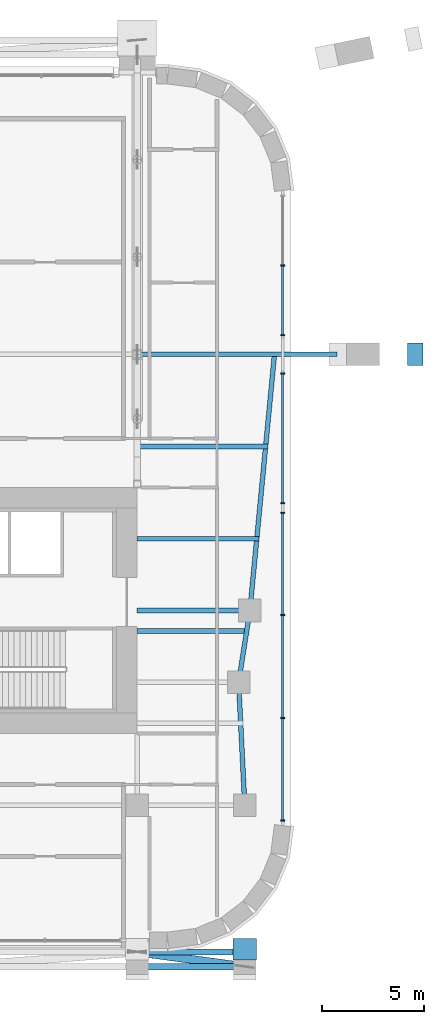
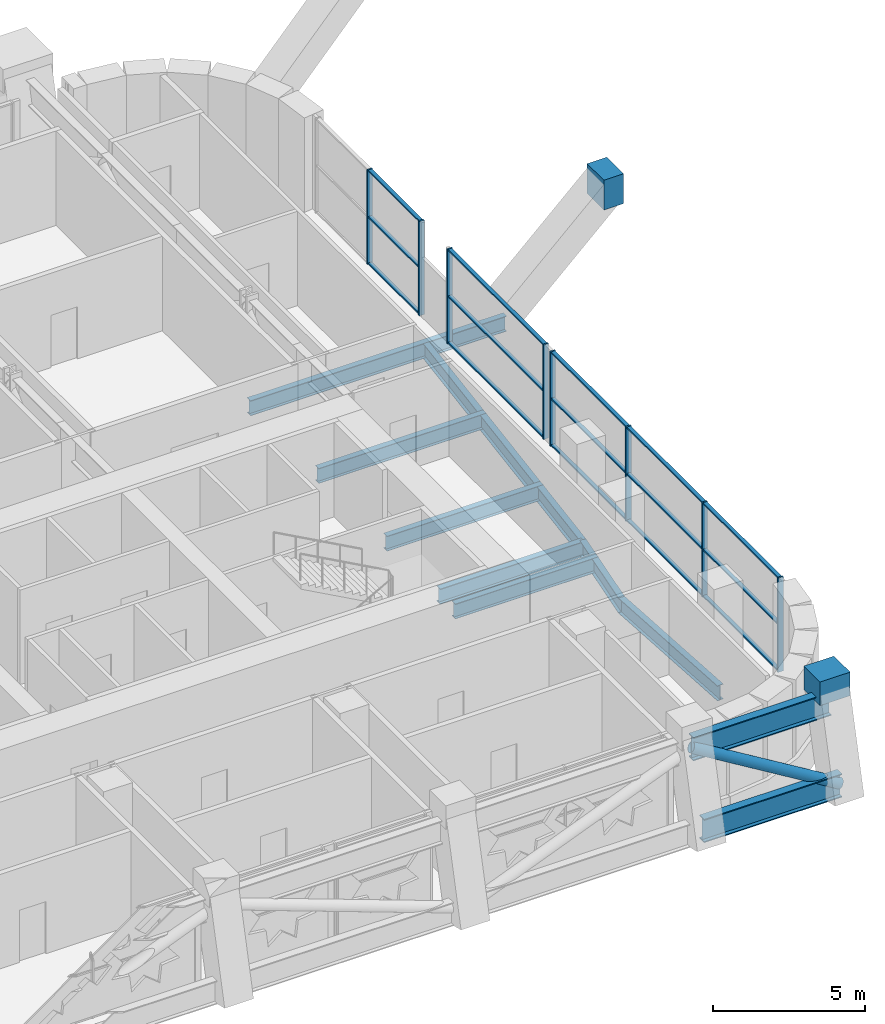
# One storey, part 9 of 27: 26 members, 10 beams, 3 elements without a shape of their own.
"""IFC4 building model written with IfcOpenShell, lengths in metres."""

from ifc_helpers import new_model, si_unit, direction, frame, origin, origin_2d, place, context, subcontext, project, spatial, rectangle, hollow_circle, i_section, extrude, material, material_profile, profile_set, type_object, element, aggregate, save


model = new_model("IFC4")

# Units and contexts
model_context = context("Model", 3, precision=1e-05, world=origin(), true_north=direction((0.0, 1.0)))
body_context = subcontext(model_context, "Body", "Model", "MODEL_VIEW")
ifc_project = project(units=[si_unit("LENGTHUNIT", "METRE"), si_unit("AREAUNIT", "SQUARE_METRE"), si_unit("VOLUMEUNIT", "CUBIC_METRE"), si_unit("PLANEANGLEUNIT", "RADIAN"), si_unit("MASSUNIT", "GRAM", prefix="KILO")], contexts=[model_context])

# Site, building, storey
site_placement = place(None, origin())
site = spatial("IfcSite", under=ifc_project, at=site_placement, CompositionType="ELEMENT")
building_placement = place(site_placement, origin())
building = spatial("IfcBuilding", under=site, at=building_placement, Name="Zellij Exchange Tower", CompositionType="ELEMENT")
storey_placement = place(building_placement, frame((0.0, 0.0, 104.5)))
storey = spatial("IfcBuildingStorey", under=building, at=storey_placement, Name="L22", CompositionType="ELEMENT", Elevation=104.5)

# Curtain wall, members
ifc_material_1 = material(Name="Aluminium frame, clear insulating glass", Category="aluminium")
curtain_wall_type = type_object("IfcCurtainWallType", Name="ENV-CW2 Outrigger-storey glazing", PredefinedType="NOTDEFINED", material=ifc_material_1)
curtain_wall_1_placement = place(storey_placement, origin())
curtain_wall_1 = element("IfcCurtainWall", 1, at=curtain_wall_1_placement, inside=storey, type_object=curtain_wall_type, Name="cw.L22.07a", PredefinedType="NOTDEFINED")
ifc_material_2 = material(Name="Aluminium", Category="aluminium")
ifc_material_profile_1 = material_profile(ifc_material_2, rectangle(XDim=0.06005859375, YDim=0.199951171875, at=origin_2d()), Name="AL 60x200")
ifc_profile_set_1 = profile_set([ifc_material_profile_1], Name="Aluminium")
member_type_1 = type_object("IfcMemberType", Name="ENV-CW2M Mullion 60x200", PredefinedType="MULLION", material=ifc_profile_set_1)
member_1_placement = place(storey_placement, frame((34.10009765625, -18.243896484375, 0.0), z_axis=(0.0, 0.0, 1.0), x_axis=(0.0, 1.0, 0.0)))
member_1 = element("IfcMember", 2, at=member_1_placement, type_object=member_type_1, Name="CW2 mullion 1", PredefinedType="MULLION", context=body_context, shape_type="SweptSolid", body=[
    extrude(rectangle(XDim=0.06005859375, YDim=0.199951171875, at=origin_2d()), origin(), (0.0, 0.0, 1.0), 3.800048828125),
])
member_2_placement = place(storey_placement, frame((34.10009765625, -13.249267578125, 0.0), z_axis=(0.0, 0.0, 1.0), x_axis=(0.0, 1.0, 0.0)))
member_2 = element("IfcMember", 3, at=member_2_placement, type_object=member_type_1, Name="CW2 mullion 2", PredefinedType="MULLION", context=body_context, shape_type="SweptSolid", body=[
    extrude(rectangle(XDim=0.06005859375, YDim=0.199951171875, at=origin_2d()), origin(), (0.0, 0.0, 1.0), 3.800048828125),
])
member_3_placement = place(storey_placement, frame((34.10009765625, -8.224609375, 0.0), z_axis=(0.0, 0.0, 1.0), x_axis=(0.0, 1.0, 0.0)))
member_3 = element("IfcMember", 4, at=member_3_placement, type_object=member_type_1, Name="CW2 mullion 3", PredefinedType="MULLION", context=body_context, shape_type="SweptSolid", body=[
    extrude(rectangle(XDim=0.06005859375, YDim=0.199951171875, at=origin_2d()), origin(), (0.0, 0.0, 1.0), 3.800048828125),
])
member_4_placement = place(storey_placement, frame((34.10009765625, -3.22998046875, 0.0), z_axis=(0.0, 0.0, 1.0), x_axis=(0.0, 1.0, 0.0)))
member_4 = element("IfcMember", 5, at=member_4_placement, type_object=member_type_1, Name="CW2 mullion 4", PredefinedType="MULLION", context=body_context, shape_type="SweptSolid", body=[
    extrude(rectangle(XDim=0.06005859375, YDim=0.199951171875, at=origin_2d()), origin(), (0.0, 0.0, 1.0), 3.800048828125),
])

curtain_wall_2_placement = place(storey_placement, origin())
curtain_wall_2 = element("IfcCurtainWall", 6, at=curtain_wall_2_placement, inside=storey, type_object=curtain_wall_type, Name="cw.L22.07b.a", PredefinedType="NOTDEFINED")
member_5_placement = place(storey_placement, frame((34.10009765625, -2.77001953125, 0.0), z_axis=(0.0, 0.0, 1.0), x_axis=(0.0, 1.0, 0.0)))
member_5 = element("IfcMember", 7, at=member_5_placement, type_object=member_type_1, Name="CW2 mullion 1", PredefinedType="MULLION", context=body_context, shape_type="SweptSolid", body=[
    extrude(rectangle(XDim=0.06005859375, YDim=0.199951171875, at=origin_2d()), origin(), (0.0, 0.0, 1.0), 3.800048828125),
])
member_6_placement = place(storey_placement, frame((34.10009765625, 3.570068359375, 0.0), z_axis=(0.0, 0.0, 1.0), x_axis=(0.0, 1.0, 0.0)))
member_6 = element("IfcMember", 8, at=member_6_placement, type_object=member_type_1, Name="CW2 mullion 2", PredefinedType="MULLION", context=body_context, shape_type="SweptSolid", body=[
    extrude(rectangle(XDim=0.06005859375, YDim=0.199951171875, at=origin_2d()), origin(), (0.0, 0.0, 1.0), 3.800048828125),
])

curtain_wall_3_placement = place(storey_placement, origin())
curtain_wall_3 = element("IfcCurtainWall", 9, at=curtain_wall_3_placement, inside=storey, type_object=curtain_wall_type, Name="cw.L22.07b.b", PredefinedType="NOTDEFINED")
member_7_placement = place(storey_placement, frame((34.10009765625, 5.429931640625, 0.0), z_axis=(0.0, 0.0, 1.0), x_axis=(0.0, 1.0, 0.0)))
member_7 = element("IfcMember", 10, at=member_7_placement, type_object=member_type_1, Name="CW2 mullion 1", PredefinedType="MULLION", context=body_context, shape_type="SweptSolid", body=[
    extrude(rectangle(XDim=0.06005859375, YDim=0.199951171875, at=origin_2d()), origin(), (0.0, 0.0, 1.0), 3.800048828125),
])
member_8_placement = place(storey_placement, frame((34.10009765625, 8.8369140625, 0.0), z_axis=(0.0, 0.0, 1.0), x_axis=(0.0, 1.0, 0.0)))
member_8 = element("IfcMember", 11, at=member_8_placement, type_object=member_type_1, Name="CW2 mullion 2", PredefinedType="MULLION", context=body_context, shape_type="SweptSolid", body=[
    extrude(rectangle(XDim=0.06005859375, YDim=0.199951171875, at=origin_2d()), origin(), (0.0, 0.0, 1.0), 3.800048828125),
])

# Member
ifc_material_profile_2 = material_profile(ifc_material_2, rectangle(XDim=0.139892578125, YDim=0.06005859375, at=origin_2d()), Name="AL 140x60")
ifc_profile_set_2 = profile_set([ifc_material_profile_2], Name="Aluminium")
member_type_2 = type_object("IfcMemberType", Name="ENV-CW2T Transom 140x60", PredefinedType="USERDEFINED", material=ifc_profile_set_2)
member_9_placement = place(storey_placement, frame((34.10009765625, -18.2138671875, 0.030029296875), z_axis=(0.0, 1.0, 0.0), x_axis=(-1.0, 0.0, 0.0)))
member_9 = element("IfcMember", 12, at=member_9_placement, type_object=member_type_2, Name="CW2 transom 1.1", ObjectType="TRANSOM", PredefinedType="USERDEFINED", context=body_context, shape_type="SweptSolid", body=[
    extrude(rectangle(XDim=0.139892578125, YDim=0.06005859375, at=origin_2d()), origin(), (0.0, 0.0, 1.0), 4.9345703125),
])

member_10_placement = place(storey_placement, frame((34.10009765625, -18.2138671875, 1.89990234375), z_axis=(0.0, 1.0, 0.0), x_axis=(-1.0, 0.0, 0.0)))
member_10 = element("IfcMember", 13, at=member_10_placement, type_object=member_type_2, Name="CW2 transom 1.2", ObjectType="TRANSOM", PredefinedType="USERDEFINED", context=body_context, shape_type="SweptSolid", body=[
    extrude(rectangle(XDim=0.139892578125, YDim=0.06005859375, at=origin_2d()), origin(), (0.0, 0.0, 1.0), 4.9345703125),
])

member_11_placement = place(storey_placement, frame((34.10009765625, -18.2138671875, 3.77001953125), z_axis=(0.0, 1.0, 0.0), x_axis=(-1.0, 0.0, 0.0)))
member_11 = element("IfcMember", 14, at=member_11_placement, type_object=member_type_2, Name="CW2 transom 1.3", ObjectType="TRANSOM", PredefinedType="USERDEFINED", context=body_context, shape_type="SweptSolid", body=[
    extrude(rectangle(XDim=0.139892578125, YDim=0.06005859375, at=origin_2d()), origin(), (0.0, 0.0, 1.0), 4.9345703125),
])

member_12_placement = place(storey_placement, frame((34.10009765625, -13.21923828125, 0.030029296875), z_axis=(0.0, 1.0, 0.0), x_axis=(-1.0, 0.0, 0.0)))
member_12 = element("IfcMember", 15, at=member_12_placement, type_object=member_type_2, Name="CW2 transom 2.1", ObjectType="TRANSOM", PredefinedType="USERDEFINED", context=body_context, shape_type="SweptSolid", body=[
    extrude(rectangle(XDim=0.139892578125, YDim=0.06005859375, at=origin_2d()), origin(), (0.0, 0.0, 1.0), 4.964599609375),
])

member_13_placement = place(storey_placement, frame((34.10009765625, -13.21923828125, 1.89990234375), z_axis=(0.0, 1.0, 0.0), x_axis=(-1.0, 0.0, 0.0)))
member_13 = element("IfcMember", 16, at=member_13_placement, type_object=member_type_2, Name="CW2 transom 2.2", ObjectType="TRANSOM", PredefinedType="USERDEFINED", context=body_context, shape_type="SweptSolid", body=[
    extrude(rectangle(XDim=0.139892578125, YDim=0.06005859375, at=origin_2d()), origin(), (0.0, 0.0, 1.0), 4.964599609375),
])

member_14_placement = place(storey_placement, frame((34.10009765625, -13.21923828125, 3.77001953125), z_axis=(0.0, 1.0, 0.0), x_axis=(-1.0, 0.0, 0.0)))
member_14 = element("IfcMember", 17, at=member_14_placement, type_object=member_type_2, Name="CW2 transom 2.3", ObjectType="TRANSOM", PredefinedType="USERDEFINED", context=body_context, shape_type="SweptSolid", body=[
    extrude(rectangle(XDim=0.139892578125, YDim=0.06005859375, at=origin_2d()), origin(), (0.0, 0.0, 1.0), 4.964599609375),
])

member_15_placement = place(storey_placement, frame((34.10009765625, -8.194580078125, 0.030029296875), z_axis=(0.0, 1.0, 0.0), x_axis=(-1.0, 0.0, 0.0)))
member_15 = element("IfcMember", 18, at=member_15_placement, type_object=member_type_2, Name="CW2 transom 3.1", ObjectType="TRANSOM", PredefinedType="USERDEFINED", context=body_context, shape_type="SweptSolid", body=[
    extrude(rectangle(XDim=0.139892578125, YDim=0.06005859375, at=origin_2d()), origin(), (0.0, 0.0, 1.0), 4.9345703125),
])

member_16_placement = place(storey_placement, frame((34.10009765625, -8.194580078125, 1.89990234375), z_axis=(0.0, 1.0, 0.0), x_axis=(-1.0, 0.0, 0.0)))
member_16 = element("IfcMember", 19, at=member_16_placement, type_object=member_type_2, Name="CW2 transom 3.2", ObjectType="TRANSOM", PredefinedType="USERDEFINED", context=body_context, shape_type="SweptSolid", body=[
    extrude(rectangle(XDim=0.139892578125, YDim=0.06005859375, at=origin_2d()), origin(), (0.0, 0.0, 1.0), 4.9345703125),
])

member_17_placement = place(storey_placement, frame((34.10009765625, -8.194580078125, 3.77001953125), z_axis=(0.0, 1.0, 0.0), x_axis=(-1.0, 0.0, 0.0)))
member_17 = element("IfcMember", 20, at=member_17_placement, type_object=member_type_2, Name="CW2 transom 3.3", ObjectType="TRANSOM", PredefinedType="USERDEFINED", context=body_context, shape_type="SweptSolid", body=[
    extrude(rectangle(XDim=0.139892578125, YDim=0.06005859375, at=origin_2d()), origin(), (0.0, 0.0, 1.0), 4.9345703125),
])

aggregate(curtain_wall_1, [member_1, member_2, member_3, member_4, member_9, member_10, member_11, member_12, member_13, member_14, member_15, member_16, member_17])

member_18_placement = place(storey_placement, frame((34.10009765625, -2.739990234375, 0.030029296875), z_axis=(0.0, 1.0, 0.0), x_axis=(-1.0, 0.0, 0.0)))
member_18 = element("IfcMember", 21, at=member_18_placement, type_object=member_type_2, Name="CW2 transom 1.1", ObjectType="TRANSOM", PredefinedType="USERDEFINED", context=body_context, shape_type="SweptSolid", body=[
    extrude(rectangle(XDim=0.139892578125, YDim=0.06005859375, at=origin_2d()), origin(), (0.0, 0.0, 1.0), 6.280029296875),
])

member_19_placement = place(storey_placement, frame((34.10009765625, -2.739990234375, 1.89990234375), z_axis=(0.0, 1.0, 0.0), x_axis=(-1.0, 0.0, 0.0)))
member_19 = element("IfcMember", 22, at=member_19_placement, type_object=member_type_2, Name="CW2 transom 1.2", ObjectType="TRANSOM", PredefinedType="USERDEFINED", context=body_context, shape_type="SweptSolid", body=[
    extrude(rectangle(XDim=0.139892578125, YDim=0.06005859375, at=origin_2d()), origin(), (0.0, 0.0, 1.0), 6.280029296875),
])

member_20_placement = place(storey_placement, frame((34.10009765625, -2.739990234375, 3.77001953125), z_axis=(0.0, 1.0, 0.0), x_axis=(-1.0, 0.0, 0.0)))
member_20 = element("IfcMember", 23, at=member_20_placement, type_object=member_type_2, Name="CW2 transom 1.3", ObjectType="TRANSOM", PredefinedType="USERDEFINED", context=body_context, shape_type="SweptSolid", body=[
    extrude(rectangle(XDim=0.139892578125, YDim=0.06005859375, at=origin_2d()), origin(), (0.0, 0.0, 1.0), 6.280029296875),
])

aggregate(curtain_wall_2, [member_5, member_6, member_18, member_19, member_20])

member_21_placement = place(storey_placement, frame((34.10009765625, 5.4599609375, 0.030029296875), z_axis=(0.0, 1.0, 0.0), x_axis=(-1.0, 0.0, 0.0)))
member_21 = element("IfcMember", 24, at=member_21_placement, type_object=member_type_2, Name="CW2 transom 1.1", ObjectType="TRANSOM", PredefinedType="USERDEFINED", context=body_context, shape_type="SweptSolid", body=[
    extrude(rectangle(XDim=0.139892578125, YDim=0.06005859375, at=origin_2d()), origin(), (0.0, 0.0, 1.0), 3.346923828125),
])

member_22_placement = place(storey_placement, frame((34.10009765625, 5.4599609375, 1.89990234375), z_axis=(0.0, 1.0, 0.0), x_axis=(-1.0, 0.0, 0.0)))
member_22 = element("IfcMember", 25, at=member_22_placement, type_object=member_type_2, Name="CW2 transom 1.2", ObjectType="TRANSOM", PredefinedType="USERDEFINED", context=body_context, shape_type="SweptSolid", body=[
    extrude(rectangle(XDim=0.139892578125, YDim=0.06005859375, at=origin_2d()), origin(), (0.0, 0.0, 1.0), 3.346923828125),
])

member_23_placement = place(storey_placement, frame((34.10009765625, 5.4599609375, 3.77001953125), z_axis=(0.0, 1.0, 0.0), x_axis=(-1.0, 0.0, 0.0)))
member_23 = element("IfcMember", 26, at=member_23_placement, type_object=member_type_2, Name="CW2 transom 1.3", ObjectType="TRANSOM", PredefinedType="USERDEFINED", context=body_context, shape_type="SweptSolid", body=[
    extrude(rectangle(XDim=0.139892578125, YDim=0.06005859375, at=origin_2d()), origin(), (0.0, 0.0, 1.0), 3.346923828125),
])

aggregate(curtain_wall_3, [member_7, member_8, member_21, member_22, member_23])

# Beams
ifc_material_3 = material(Name="Structural steel ASTM A992 Gr 50", Category="steel")
ifc_material_profile_3 = material_profile(ifc_material_3, i_section(OverallWidth=0.227783203125, OverallDepth=0.60205078125, WebThickness=0.010498046875, FlangeThickness=0.014892578125, at=origin_2d()), Name="W24x68")
ifc_profile_set_3 = profile_set([ifc_material_profile_3], Name="Structural steel ASTM A992 Gr 50")
beam_type_1 = type_object("IfcBeamType", Name="STR-BEAM W24x68", PredefinedType="BEAM", material=ifc_profile_set_3)
beam_1_placement = place(storey_placement, frame((27.0, -9.0, -0.65087890625), z_axis=(1.0, 0.0, 0.0), x_axis=(0.0, 1.0, 0.0)))
element("IfcBeam", 27, at=beam_1_placement, inside=storey, type_object=beam_type_1, Name="B5", PredefinedType="BEAM", context=body_context, shape_type="SweptSolid", body=[
    extrude(i_section(OverallWidth=0.227783203125, OverallDepth=0.60205078125, WebThickness=0.010498046875, FlangeThickness=0.014892578125, at=origin_2d()), origin(), (0.0, 0.0, 1.0), 5.458740234375),
])
beam_2_placement = place(storey_placement, frame((27.0, -4.5, -0.65087890625), z_axis=(1.0, 0.0, 0.0), x_axis=(0.0, 1.0, 0.0)))
element("IfcBeam", 28, at=beam_2_placement, inside=storey, type_object=beam_type_1, Name="B5", PredefinedType="BEAM", context=body_context, shape_type="SweptSolid", body=[
    extrude(i_section(OverallWidth=0.227783203125, OverallDepth=0.60205078125, WebThickness=0.010498046875, FlangeThickness=0.014892578125, at=origin_2d()), origin(), (0.0, 0.0, 1.0), 5.951171875),
])
beam_3_placement = place(storey_placement, frame((27.0, 0.0, -0.65087890625), z_axis=(1.0, 0.0, 0.0), x_axis=(0.0, 1.0, 0.0)))
element("IfcBeam", 29, at=beam_3_placement, inside=storey, type_object=beam_type_1, Name="B5", PredefinedType="BEAM", context=body_context, shape_type="SweptSolid", body=[
    extrude(i_section(OverallWidth=0.227783203125, OverallDepth=0.60205078125, WebThickness=0.010498046875, FlangeThickness=0.014892578125, at=origin_2d()), origin(), (0.0, 0.0, 1.0), 6.383056640625),
])

# Members
ifc_material_profile_4 = material_profile(ifc_material_3, i_section(OverallWidth=0.307373046875, OverallDepth=0.9423828125, WebThickness=0.022216796875, FlangeThickness=0.039794921875, at=origin_2d()), Name="W36x232")
ifc_profile_set_4 = profile_set([ifc_material_profile_4], Name="Structural steel ASTM A992 Gr 50")
member_type_3 = type_object("IfcMemberType", Name="STR-BELT TRUSS CHORD W36x232", PredefinedType="CHORD", material=ifc_profile_set_4)
for number, where, z_axis, x_axis, name in (
    (30, (27.0, -25.382080078125, 0.47119140625), (1.0, 0.0, 0.0), (0.0, 1.0, 0.0), "BT1"),
    (31, (27.0, -24.667724609375, 3.328857421875), (1.0, 0.0, 0.0), (0.0, 1.0, 0.0), "BT1"),
):
    element("IfcMember", number, at=place(storey_placement, frame(where, z_axis=z_axis, x_axis=x_axis)), inside=storey, type_object=member_type_3, Name=name, PredefinedType="CHORD", context=body_context, shape_type="SweptSolid", body=[
        extrude(i_section(OverallWidth=0.307373046875, OverallDepth=0.9423828125, WebThickness=0.022216796875, FlangeThickness=0.039794921875, at=origin_2d()), origin(), (0.0, 0.0, 1.0), 5.25),
    ])
ifc_material_4 = material(Name="Structural steel ASTM A500 Gr C", Category="steel")
ifc_material_profile_5 = material_profile(ifc_material_4, hollow_circle(Radius=0.203125, WallThickness=0.01171875, at=origin_2d()), Name="STR-BELT TRUSS DIAGONAL HSS16.000x0.500")
ifc_profile_set_5 = profile_set([ifc_material_profile_5], Name="Structural steel ASTM A500 Gr C")
member_type_4 = type_object("IfcMemberType", Name="STR-BELT TRUSS DIAGONAL HSS16.000x0.500", PredefinedType="BRACE", material=ifc_profile_set_5)
member_24_placement = place(storey_placement, frame((27.0, -24.667724609375, 3.328857421875), z_axis=(0.872109161186, -0.118665894979, -0.474704135588), x_axis=(0.134825326017, 0.990869381636, 0.0)))
element("IfcMember", 32, at=member_24_placement, inside=storey, type_object=member_type_4, Name="BT2", PredefinedType="BRACE", context=body_context, shape_type="SweptSolid", body=[
    extrude(hollow_circle(Radius=0.203125, WallThickness=0.01171875, at=origin_2d()), origin(), (0.0, 0.0, 1.0), 6.019775390625),
])

# Beams
ifc_material_profile_6 = material_profile(ifc_material_3, i_section(OverallWidth=0.22900390625, OverallDepth=0.612060546875, WebThickness=0.011962890625, FlangeThickness=0.01953125, at=origin_2d()), Name="W24x84")
ifc_profile_set_6 = profile_set([ifc_material_profile_6], Name="Structural steel ASTM A992 Gr 50")
beam_type_2 = type_object("IfcBeamType", Name="STR-EDGE GIRDER W24x84", PredefinedType="BEAM", material=ifc_profile_set_6)
beam_4_placement = place(storey_placement, frame((32.25, -17.5, -0.656005859375), z_axis=(-0.049945724537, 0.998751933465, 0.0), x_axis=(-0.998751933465, -0.049945724537, 0.0)))
element("IfcBeam", 33, at=beam_4_placement, inside=storey, type_object=beam_type_2, Name="EB6", PredefinedType="BEAM", context=body_context, shape_type="SweptSolid", body=[
    extrude(i_section(OverallWidth=0.22900390625, OverallDepth=0.612060546875, WebThickness=0.011962890625, FlangeThickness=0.01953125, at=origin_2d()), origin(), (0.0, 0.0, 1.0), 6.007568359375),
])
beam_5_placement = place(storey_placement, frame((31.949951171875, -11.5, -0.656005859375), z_axis=(0.155251283593, 0.987875011802, 0.0), x_axis=(-0.987875011802, 0.155251283593, 0.0)))
element("IfcBeam", 34, at=beam_5_placement, inside=storey, type_object=beam_type_2, Name="EB6", PredefinedType="BEAM", context=body_context, shape_type="SweptSolid", body=[
    extrude(i_section(OverallWidth=0.22900390625, OverallDepth=0.612060546875, WebThickness=0.011962890625, FlangeThickness=0.01953125, at=origin_2d()), origin(), (0.0, 0.0, 1.0), 3.54296875),
])
beam_6_placement = place(storey_placement, frame((32.5, -8.0, -0.656005859375), z_axis=(0.095556813485, 0.995423977708, 0.0), x_axis=(-0.995423977708, 0.095556813485, 0.0)))
element("IfcBeam", 35, at=beam_6_placement, inside=storey, type_object=beam_type_2, Name="EB6", PredefinedType="BEAM", context=body_context, shape_type="SweptSolid", body=[
    extrude(i_section(OverallWidth=0.22900390625, OverallDepth=0.612060546875, WebThickness=0.011962890625, FlangeThickness=0.01953125, at=origin_2d()), origin(), (0.0, 0.0, 1.0), 12.557373046875),
])
ifc_material_5 = material(Name="Concrete C70/85", Category="concrete")
ifc_material_profile_7 = material_profile(ifc_material_5, rectangle(XDim=1.10009765625, YDim=1.199951171875, at=origin_2d()), Name="STR-END BLOCK KNUCKLE RC1100x1200 C70/85")
ifc_profile_set_7 = profile_set([ifc_material_profile_7], Name="Concrete C70/85")
beam_type_3 = type_object("IfcBeamType", Name="STR-END BLOCK KNUCKLE RC1100x1200 C70/85", PredefinedType="BEAM", material=ifc_profile_set_7)
beam_7_placement = place(storey_placement, frame((40.197509765625, 4.5, 3.574951171875), z_axis=(1.0, 0.0, 0.0), x_axis=(0.0, 1.0, 0.0)))
element("IfcBeam", 36, at=beam_7_placement, inside=storey, type_object=beam_type_3, Name="EK2", PredefinedType="BEAM", context=body_context, shape_type="SweptSolid", body=[
    extrude(rectangle(XDim=1.10009765625, YDim=1.199951171875, at=origin_2d()), origin(), (0.0, 0.0, 1.0), 0.75390625),
])
ifc_material_profile_8 = material_profile(ifc_material_3, i_section(OverallWidth=0.22900390625, OverallDepth=0.612060546875, WebThickness=0.011962890625, FlangeThickness=0.01953125, at=origin_2d()), Name="W24x84")
ifc_profile_set_8 = profile_set([ifc_material_profile_8], Name="Structural steel ASTM A992 Gr 50")
beam_type_4 = type_object("IfcBeamType", Name="STR-GIRDER W24x84", PredefinedType="BEAM", material=ifc_profile_set_8)
beam_8_placement = place(storey_placement, frame((27.0, -8.0, -0.656005859375), z_axis=(1.0, 0.0, 0.0), x_axis=(0.0, 1.0, 0.0)))
element("IfcBeam", 37, at=beam_8_placement, inside=storey, type_object=beam_type_4, Name="G4", PredefinedType="BEAM", context=body_context, shape_type="SweptSolid", body=[
    extrude(i_section(OverallWidth=0.22900390625, OverallDepth=0.612060546875, WebThickness=0.011962890625, FlangeThickness=0.01953125, at=origin_2d()), origin(), (0.0, 0.0, 1.0), 5.5),
])
beam_9_placement = place(storey_placement, frame((27.0, 4.5, -0.656005859375), z_axis=(1.0, 0.0, 0.0), x_axis=(0.0, 1.0, 0.0)))
element("IfcBeam", 38, at=beam_9_placement, inside=storey, type_object=beam_type_4, Name="G4", PredefinedType="BEAM", context=body_context, shape_type="SweptSolid", body=[
    extrude(i_section(OverallWidth=0.22900390625, OverallDepth=0.612060546875, WebThickness=0.011962890625, FlangeThickness=0.01953125, at=origin_2d()), origin(), (0.0, 0.0, 1.0), 9.75),
])
ifc_material_profile_9 = material_profile(ifc_material_5, rectangle(XDim=1.14990234375, YDim=0.949951171875, at=origin_2d()), Name="STR-KNUCKLE BLOCK RC1150x950 C70/85")
ifc_profile_set_9 = profile_set([ifc_material_profile_9], Name="Concrete C70/85")
beam_type_5 = type_object("IfcBeamType", Name="STR-KNUCKLE BLOCK RC1150x950 C70/85", PredefinedType="BEAM", material=ifc_profile_set_9)
beam_10_placement = place(storey_placement, frame((32.25, -25.06689453125, 4.074951171875), z_axis=(0.0, 1.0, 0.0), x_axis=(-1.0, 0.0, 0.0)))
element("IfcBeam", 39, at=beam_10_placement, inside=storey, type_object=beam_type_5, Name="KB5", PredefinedType="BEAM", context=body_context, shape_type="SweptSolid", body=[
    extrude(rectangle(XDim=1.14990234375, YDim=0.949951171875, at=origin_2d()), origin(), (0.0, 0.0, 1.0), 1.067138671875),
])

save(model, "model.ifc")
